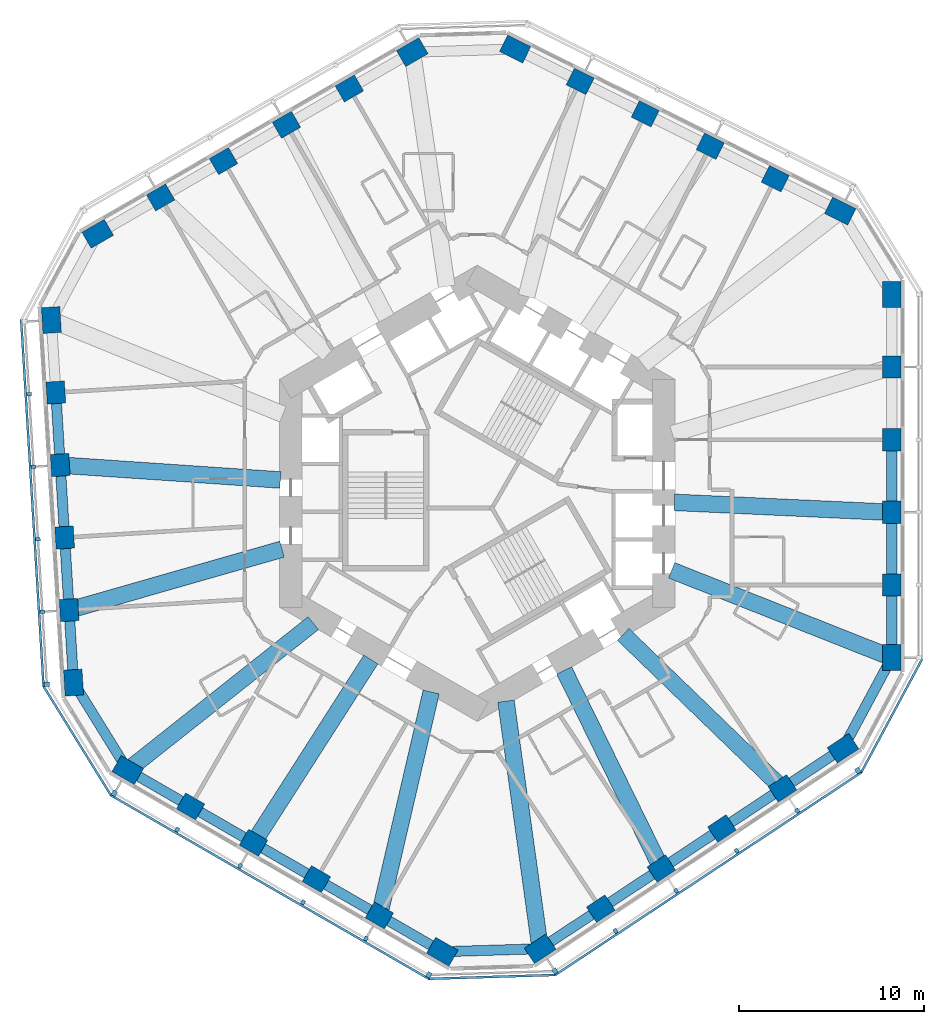
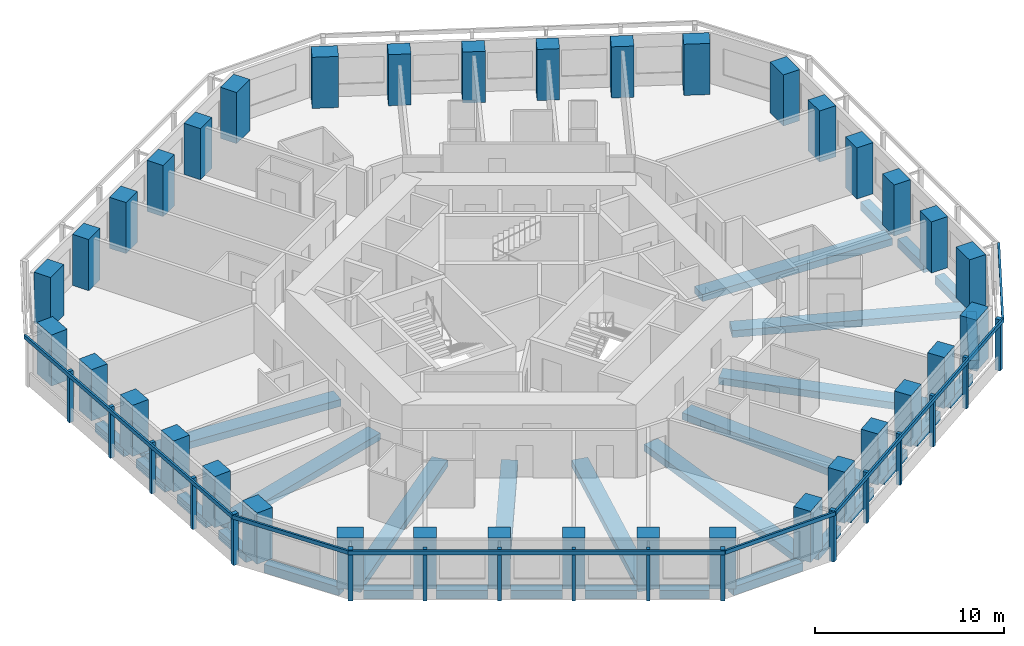
# One storey, part 1 of 12: 36 columns, 30 beams, 23 members, 6 elements without a shape of their own.
"""IFC4 building model written with IfcOpenShell, lengths in metres."""

from ifc_helpers import new_model, si_unit, direction, frame, origin, origin_2d, place, context, subcontext, project, spatial, rectangle, extrude, material, material_profile, profile_set, type_object, element, aggregate, save


model = new_model("IFC4")

# Units and contexts
model_context = context("Model", 3, precision=1e-05, world=origin(), true_north=direction((0.0, 1.0)))
body_context = subcontext(model_context, "Body", "Model", "MODEL_VIEW")
ifc_project = project(units=[si_unit("LENGTHUNIT", "METRE"), si_unit("AREAUNIT", "SQUARE_METRE"), si_unit("VOLUMEUNIT", "CUBIC_METRE"), si_unit("PLANEANGLEUNIT", "RADIAN"), si_unit("MASSUNIT", "GRAM", prefix="KILO")], contexts=[model_context])

# Site, building, storey
site_placement = place(None, origin())
site = spatial("IfcSite", under=ifc_project, at=site_placement, CompositionType="ELEMENT")
building_placement = place(site_placement, origin())
building = spatial("IfcBuilding", under=site, at=building_placement, Name="Vanh Sen Convention Tower", CompositionType="ELEMENT")
storey_placement = place(building_placement, frame((0.0, 0.0, 70.39990234375)))
storey = spatial("IfcBuildingStorey", under=building, at=storey_placement, Name="L15", CompositionType="ELEMENT", Elevation=70.39990234375)

# Columns
ifc_material_1 = material(Name="Concrete C80/95", Category="concrete")
ifc_material_profile_1 = material_profile(ifc_material_1, rectangle(XDim=1.199951171875, YDim=1.0, at=origin_2d()), Name="RC 1200X1000")
ifc_profile_set_1 = profile_set([ifc_material_profile_1], Name="Concrete C80/95")
column_type_1 = type_object("IfcColumnType", Name="Facade column 1200 x 1000 C80/95", PredefinedType="COLUMN", material=ifc_profile_set_1)
for number, where, z_axis, x_axis, name in (
    (1, (22.449951171875, -4.964599609375, 0.0), (0.0, 0.0, 1.0), (0.0, 1.0, 0.0), "Facade column 02 L15"),
    (2, (22.449951171875, -1.030029296875, 0.0), (0.0, 0.0, 1.0), (0.0, 1.0, 0.0), "Facade column 03 L15"),
    (3, (22.449951171875, 2.904541015625, 0.0), (0.0, 0.0, 1.0), (0.0, 1.0, 0.0), "Facade column 04 L15"),
    (4, (22.449951171875, 6.839111328125, 0.0), (0.0, 0.0, 1.0), (0.0, 1.0, 0.0), "Facade column 05 L15"),
    (5, (16.1376953125, 17.039794921875, 0.0), (0.0, 0.0, 1.0), (-0.894934361602, 0.44619781311, 0.0), "Facade column 08 L15"),
    (6, (12.616455078125, 18.79541015625, 0.0), (0.0, 0.0, 1.0), (-0.894934361602, 0.44619781311, 0.0), "Facade column 09 L15"),
    (7, (9.09521484375, 20.55078125, 0.0), (0.0, 0.0, 1.0), (-0.894934361602, 0.44619781311, 0.0), "Facade column 10 L15"),
    (8, (5.57421875, 22.306396484375, 0.0), (0.0, 0.0, 1.0), (-0.894934361602, 0.44619781311, 0.0), "Facade column 11 L15"),
    (9, (-6.925537109375, 21.924560546875, 0.0), (0.0, 0.0, 1.0), (-0.866025403784, -0.5, 0.0), "Facade column 14 L15"),
    (10, (-10.3330078125, 19.957275390625, 0.0), (0.0, 0.0, 1.0), (-0.866025403784, -0.5, 0.0), "Facade column 15 L15"),
    (11, (-13.740478515625, 17.989990234375, 0.0), (0.0, 0.0, 1.0), (-0.866025403784, -0.5, 0.0), "Facade column 16 L15"),
    (12, (-17.14794921875, 16.022705078125, 0.0), (0.0, 0.0, 1.0), (-0.866025403784, -0.5, 0.0), "Facade column 17 L15"),
    (13, (-22.82568359375, 5.455810546875, 0.0), (0.0, 0.0, 1.0), (0.061048539535, -0.998134798422, 0.0), "Facade column 20 L15"),
    (14, (-22.58544921875, 1.528564453125, 0.0), (0.0, 0.0, 1.0), (0.061048539535, -0.998134798422, 0.0), "Facade column 21 L15"),
    (15, (-22.34521484375, -2.398681640625, 0.0), (0.0, 0.0, 1.0), (0.061048539535, -0.998134798422, 0.0), "Facade column 22 L15"),
    (16, (-22.10498046875, -6.325927734375, 0.0), (0.0, 0.0, 1.0), (0.061048539535, -0.998134798422, 0.0), "Facade column 23 L15"),
    (17, (-15.5244140625, -16.9599609375, 0.0), (0.0, 0.0, 1.0), (0.866025403784, -0.5, 0.0), "Facade column 26 L15"),
    (18, (-12.1171875, -18.92724609375, 0.0), (0.0, 0.0, 1.0), (0.866025403784, -0.5, 0.0), "Facade column 27 L15"),
    (19, (-8.709716796875, -20.89453125, 0.0), (0.0, 0.0, 1.0), (0.866025403784, -0.5, 0.0), "Facade column 28 L15"),
    (20, (-5.302001953125, -22.86181640625, 0.0), (0.0, 0.0, 1.0), (0.866025403784, -0.5, 0.0), "Facade column 29 L15"),
    (21, (6.68798828125, -22.49560546875, 0.0), (0.0, 0.0, 1.0), (0.833885822067, 0.551936985312, 0.0), "Facade column 32 L15"),
    (22, (9.968994140625, -20.323974609375, 0.0), (0.0, 0.0, 1.0), (0.833885822067, 0.551936985312, 0.0), "Facade column 33 L15"),
    (23, (13.25, -18.152099609375, 0.0), (0.0, 0.0, 1.0), (0.833885822067, 0.551936985312, 0.0), "Facade column 34 L15"),
    (24, (16.531005859375, -15.980712890625, 0.0), (0.0, 0.0, 1.0), (0.833885822067, 0.551936985312, 0.0), "Facade column 35 L15"),
):
    element("IfcColumn", number, at=place(storey_placement, frame(where, z_axis=z_axis, x_axis=x_axis)), inside=storey, type_object=column_type_1, Name=name, PredefinedType="COLUMN", context=body_context, shape_type="SweptSolid", body=[
        extrude(rectangle(XDim=1.199951171875, YDim=1.0, at=origin_2d()), origin(), (0.0, 0.0, 1.0), 3.300048828125),
    ])
ifc_material_profile_2 = material_profile(ifc_material_1, rectangle(XDim=1.39990234375, YDim=1.0, at=origin_2d()), Name="RC 1400X1000")
ifc_profile_set_2 = profile_set([ifc_material_profile_2], Name="Concrete C80/95")
column_type_2 = type_object("IfcColumnType", Name="Facade corner column 1400 x 1000 C80/95", PredefinedType="COLUMN", material=ifc_profile_set_2)
for number, where, z_axis, x_axis, name in (
    (25, (22.449951171875, -8.899169921875, 0.0), (0.0, 0.0, 1.0), (0.0, 1.0, 0.0), "Facade column 01 L15"),
    (26, (22.449951171875, 10.773681640625, 0.0), (0.0, 0.0, 1.0), (0.0, 1.0, 0.0), "Facade column 06 L15"),
    (27, (19.658935546875, 15.2841796875, 0.0), (0.0, 0.0, 1.0), (-0.894934361602, 0.44619781311, 0.0), "Facade column 07 L15"),
    (28, (2.052978515625, 24.06201171875, 0.0), (0.0, 0.0, 1.0), (-0.894934361602, 0.44619781311, 0.0), "Facade column 12 L15"),
    (29, (-3.51806640625, 23.891845703125, 0.0), (0.0, 0.0, 1.0), (-0.866025403784, -0.5, 0.0), "Facade column 13 L15"),
    (30, (-20.555419921875, 14.055419921875, 0.0), (0.0, 0.0, 1.0), (-0.866025403784, -0.5, 0.0), "Facade column 18 L15"),
    (31, (-23.06591796875, 9.383056640625, 0.0), (0.0, 0.0, 1.0), (0.061048539535, -0.998134798422, 0.0), "Facade column 19 L15"),
    (32, (-21.86474609375, -10.253173828125, 0.0), (0.0, 0.0, 1.0), (0.061048539535, -0.998134798422, 0.0), "Facade column 24 L15"),
    (33, (-18.931884765625, -14.99267578125, 0.0), (0.0, 0.0, 1.0), (0.866025403784, -0.5, 0.0), "Facade column 25 L15"),
    (34, (-1.894775390625, -24.8291015625, 0.0), (0.0, 0.0, 1.0), (0.866025403784, -0.5, 0.0), "Facade column 30 L15"),
    (35, (3.406982421875, -24.6669921875, 0.0), (0.0, 0.0, 1.0), (0.833885822067, 0.551936985312, 0.0), "Facade column 31 L15"),
    (36, (19.81201171875, -13.808837890625, 0.0), (0.0, 0.0, 1.0), (0.833885822067, 0.551936985312, 0.0), "Facade column 36 L15"),
):
    element("IfcColumn", number, at=place(storey_placement, frame(where, z_axis=z_axis, x_axis=x_axis)), inside=storey, type_object=column_type_2, Name=name, PredefinedType="COLUMN", context=body_context, shape_type="SweptSolid", body=[
        extrude(rectangle(XDim=1.39990234375, YDim=1.0, at=origin_2d()), origin(), (0.0, 0.0, 1.0), 3.300048828125),
    ])

# Curtain wall, member
ifc_material_2 = material(Name="Concrete C50/60", Category="concrete")
curtain_wall_type = type_object("IfcCurtainWallType", Name="Outer skin hotel zone", PredefinedType="NOTDEFINED", material=ifc_material_2)
curtain_wall_1_placement = place(storey_placement, origin())
curtain_wall_1 = element("IfcCurtainWall", 37, at=curtain_wall_1_placement, inside=storey, type_object=curtain_wall_type, Name="OUTER SKIN W L15", PredefinedType="NOTDEFINED")
ifc_material_profile_3 = material_profile(ifc_material_2, rectangle(XDim=0.25, YDim=0.300048828125, at=origin_2d()), Name="Outer skin precast corner fin 250 x 300")
ifc_profile_set_3 = profile_set([ifc_material_profile_3], Name="Concrete C50/60")
member_type_1 = type_object("IfcMemberType", Name="Outer skin precast corner fin 250 x 300", PredefinedType="MULLION", material=ifc_profile_set_3)
member_1_placement = place(storey_placement, frame((-23.31201171875, -10.341796875, 0.0), z_axis=(0.0, 0.0, 1.0), x_axis=(0.061048539535, -0.998134798422, 0.0)))
member_1 = element("IfcMember", 38, at=member_1_placement, type_object=member_type_1, Name="OUTER SKIN CORNER FIN 6 W L15", PredefinedType="MULLION", context=body_context, shape_type="SweptSolid", body=[
    extrude(rectangle(XDim=0.25, YDim=0.300048828125, at=origin_2d()), origin(), (0.0, 0.0, 1.0), 3.300048828125),
])

# Curtain wall, members
curtain_wall_2_placement = place(storey_placement, origin())
curtain_wall_2 = element("IfcCurtainWall", 39, at=curtain_wall_2_placement, inside=storey, type_object=curtain_wall_type, Name="OUTER SKIN SW L15", PredefinedType="NOTDEFINED")
member_2_placement = place(storey_placement, frame((-19.656982421875, -16.248291015625, 0.0), z_axis=(0.0, 0.0, 1.0), x_axis=(0.866025403784, -0.5, 0.0)))
member_2 = element("IfcMember", 40, at=member_2_placement, type_object=member_type_1, Name="OUTER SKIN CORNER FIN 1 SW L15", PredefinedType="MULLION", context=body_context, shape_type="SweptSolid", body=[
    extrude(rectangle(XDim=0.25, YDim=0.300048828125, at=origin_2d()), origin(), (0.0, 0.0, 1.0), 3.300048828125),
])
member_3_placement = place(storey_placement, frame((-2.61962890625, -26.084716796875, 0.0), z_axis=(0.0, 0.0, 1.0), x_axis=(0.866025403784, -0.5, 0.0)))
member_3 = element("IfcMember", 41, at=member_3_placement, type_object=member_type_1, Name="OUTER SKIN CORNER FIN 6 SW L15", PredefinedType="MULLION", context=body_context, shape_type="SweptSolid", body=[
    extrude(rectangle(XDim=0.25, YDim=0.300048828125, at=origin_2d()), origin(), (0.0, 0.0, 1.0), 3.300048828125),
])

curtain_wall_3_placement = place(storey_placement, origin())
curtain_wall_3 = element("IfcCurtainWall", 42, at=curtain_wall_3_placement, inside=storey, type_object=curtain_wall_type, Name="OUTER SKIN SE L15", PredefinedType="NOTDEFINED")
member_4_placement = place(storey_placement, frame((4.207275390625, -25.876220703125, 0.0), z_axis=(0.0, 0.0, 1.0), x_axis=(0.833885822067, 0.551936985312, 0.0)))
member_4 = element("IfcMember", 43, at=member_4_placement, type_object=member_type_1, Name="OUTER SKIN CORNER FIN 1 SE L15", PredefinedType="MULLION", context=body_context, shape_type="SweptSolid", body=[
    extrude(rectangle(XDim=0.25, YDim=0.300048828125, at=origin_2d()), origin(), (0.0, 0.0, 1.0), 3.300048828125),
])
member_5_placement = place(storey_placement, frame((20.6123046875, -15.01806640625, 0.0), z_axis=(0.0, 0.0, 1.0), x_axis=(0.833885822067, 0.551936985312, 0.0)))
member_5 = element("IfcMember", 44, at=member_5_placement, type_object=member_type_1, Name="OUTER SKIN CORNER FIN 6 SE L15", PredefinedType="MULLION", context=body_context, shape_type="SweptSolid", body=[
    extrude(rectangle(XDim=0.25, YDim=0.300048828125, at=origin_2d()), origin(), (0.0, 0.0, 1.0), 3.300048828125),
])

# Member
ifc_material_profile_4 = material_profile(ifc_material_2, rectangle(XDim=0.199951171875, YDim=0.25, at=origin_2d()), Name="Outer skin precast fin 200 x 250")
ifc_profile_set_4 = profile_set([ifc_material_profile_4], Name="Concrete C50/60")
member_type_2 = type_object("IfcMemberType", Name="Outer skin precast fin 200 x 250", PredefinedType="MULLION", material=ifc_profile_set_4)
member_6_placement = place(storey_placement, frame((-24.27294921875, 5.3671875, 0.0), z_axis=(0.0, 0.0, 1.0), x_axis=(0.061048539535, -0.998134798422, 0.0)))
member_6 = element("IfcMember", 45, at=member_6_placement, type_object=member_type_2, Name="OUTER SKIN fin 2 W L15", PredefinedType="MULLION", context=body_context, shape_type="SweptSolid", body=[
    extrude(rectangle(XDim=0.199951171875, YDim=0.25, at=origin_2d()), origin(), (0.0, 0.0, 1.0), 3.300048828125),
])

member_7_placement = place(storey_placement, frame((-24.03271484375, 1.440185546875, 0.0), z_axis=(0.0, 0.0, 1.0), x_axis=(0.061048539535, -0.998134798422, 0.0)))
member_7 = element("IfcMember", 46, at=member_7_placement, type_object=member_type_2, Name="OUTER SKIN fin 3 W L15", PredefinedType="MULLION", context=body_context, shape_type="SweptSolid", body=[
    extrude(rectangle(XDim=0.199951171875, YDim=0.25, at=origin_2d()), origin(), (0.0, 0.0, 1.0), 3.300048828125),
])

member_8_placement = place(storey_placement, frame((-23.79248046875, -2.4873046875, 0.0), z_axis=(0.0, 0.0, 1.0), x_axis=(0.061048539535, -0.998134798422, 0.0)))
member_8 = element("IfcMember", 47, at=member_8_placement, type_object=member_type_2, Name="OUTER SKIN fin 4 W L15", PredefinedType="MULLION", context=body_context, shape_type="SweptSolid", body=[
    extrude(rectangle(XDim=0.199951171875, YDim=0.25, at=origin_2d()), origin(), (0.0, 0.0, 1.0), 3.300048828125),
])

member_9_placement = place(storey_placement, frame((-23.55224609375, -6.414306640625, 0.0), z_axis=(0.0, 0.0, 1.0), x_axis=(0.061048539535, -0.998134798422, 0.0)))
member_9 = element("IfcMember", 48, at=member_9_placement, type_object=member_type_2, Name="OUTER SKIN fin 5 W L15", PredefinedType="MULLION", context=body_context, shape_type="SweptSolid", body=[
    extrude(rectangle(XDim=0.199951171875, YDim=0.25, at=origin_2d()), origin(), (0.0, 0.0, 1.0), 3.300048828125),
])

member_10_placement = place(storey_placement, frame((-16.24951171875, -18.2158203125, 0.0), z_axis=(0.0, 0.0, 1.0), x_axis=(0.866025403784, -0.5, 0.0)))
member_10 = element("IfcMember", 49, at=member_10_placement, type_object=member_type_2, Name="OUTER SKIN fin 2 SW L15", PredefinedType="MULLION", context=body_context, shape_type="SweptSolid", body=[
    extrude(rectangle(XDim=0.199951171875, YDim=0.25, at=origin_2d()), origin(), (0.0, 0.0, 1.0), 3.300048828125),
])

member_11_placement = place(storey_placement, frame((-12.842041015625, -20.182861328125, 0.0), z_axis=(0.0, 0.0, 1.0), x_axis=(0.866025403784, -0.5, 0.0)))
member_11 = element("IfcMember", 50, at=member_11_placement, type_object=member_type_2, Name="OUTER SKIN fin 3 SW L15", PredefinedType="MULLION", context=body_context, shape_type="SweptSolid", body=[
    extrude(rectangle(XDim=0.199951171875, YDim=0.25, at=origin_2d()), origin(), (0.0, 0.0, 1.0), 3.300048828125),
])

member_12_placement = place(storey_placement, frame((-9.4345703125, -22.150146484375, 0.0), z_axis=(0.0, 0.0, 1.0), x_axis=(0.866025403784, -0.5, 0.0)))
member_12 = element("IfcMember", 51, at=member_12_placement, type_object=member_type_2, Name="OUTER SKIN fin 4 SW L15", PredefinedType="MULLION", context=body_context, shape_type="SweptSolid", body=[
    extrude(rectangle(XDim=0.199951171875, YDim=0.25, at=origin_2d()), origin(), (0.0, 0.0, 1.0), 3.300048828125),
])

member_13_placement = place(storey_placement, frame((-6.027099609375, -24.117431640625, 0.0), z_axis=(0.0, 0.0, 1.0), x_axis=(0.866025403784, -0.5, 0.0)))
member_13 = element("IfcMember", 52, at=member_13_placement, type_object=member_type_2, Name="OUTER SKIN fin 5 SW L15", PredefinedType="MULLION", context=body_context, shape_type="SweptSolid", body=[
    extrude(rectangle(XDim=0.199951171875, YDim=0.25, at=origin_2d()), origin(), (0.0, 0.0, 1.0), 3.300048828125),
])

member_14_placement = place(storey_placement, frame((7.48828125, -23.70458984375, 0.0), z_axis=(0.0, 0.0, 1.0), x_axis=(0.833885822067, 0.551936985312, 0.0)))
member_14 = element("IfcMember", 53, at=member_14_placement, type_object=member_type_2, Name="OUTER SKIN fin 2 SE L15", PredefinedType="MULLION", context=body_context, shape_type="SweptSolid", body=[
    extrude(rectangle(XDim=0.199951171875, YDim=0.25, at=origin_2d()), origin(), (0.0, 0.0, 1.0), 3.300048828125),
])

member_15_placement = place(storey_placement, frame((10.769287109375, -21.532958984375, 0.0), z_axis=(0.0, 0.0, 1.0), x_axis=(0.833885822067, 0.551936985312, 0.0)))
member_15 = element("IfcMember", 54, at=member_15_placement, type_object=member_type_2, Name="OUTER SKIN fin 3 SE L15", PredefinedType="MULLION", context=body_context, shape_type="SweptSolid", body=[
    extrude(rectangle(XDim=0.199951171875, YDim=0.25, at=origin_2d()), origin(), (0.0, 0.0, 1.0), 3.300048828125),
])

member_16_placement = place(storey_placement, frame((14.05029296875, -19.361328125, 0.0), z_axis=(0.0, 0.0, 1.0), x_axis=(0.833885822067, 0.551936985312, 0.0)))
member_16 = element("IfcMember", 55, at=member_16_placement, type_object=member_type_2, Name="OUTER SKIN fin 4 SE L15", PredefinedType="MULLION", context=body_context, shape_type="SweptSolid", body=[
    extrude(rectangle(XDim=0.199951171875, YDim=0.25, at=origin_2d()), origin(), (0.0, 0.0, 1.0), 3.300048828125),
])

member_17_placement = place(storey_placement, frame((17.331298828125, -17.189697265625, 0.0), z_axis=(0.0, 0.0, 1.0), x_axis=(0.833885822067, 0.551936985312, 0.0)))
member_17 = element("IfcMember", 56, at=member_17_placement, type_object=member_type_2, Name="OUTER SKIN fin 5 SE L15", PredefinedType="MULLION", context=body_context, shape_type="SweptSolid", body=[
    extrude(rectangle(XDim=0.199951171875, YDim=0.25, at=origin_2d()), origin(), (0.0, 0.0, 1.0), 3.300048828125),
])

ifc_material_profile_5 = material_profile(ifc_material_2, rectangle(XDim=0.1201171875, YDim=0.25, at=origin_2d()), Name="Outer skin precast spandrel band 250 x 120")
ifc_profile_set_5 = profile_set([ifc_material_profile_5], Name="Concrete C50/60")
member_type_3 = type_object("IfcMemberType", Name="Outer skin precast spandrel band 250 x 120", PredefinedType="USERDEFINED", material=ifc_profile_set_5)
member_18_placement = place(storey_placement, frame((-24.705322265625, 9.408203125, 3.175048828125), z_axis=(0.061050017989, -0.998134707995, 0.0), x_axis=(0.998134707995, 0.061050017989, 0.0)))
member_18 = element("IfcMember", 57, at=member_18_placement, type_object=member_type_3, Name="OUTER SKIN spandrel band W L15", ObjectType="TRANSOM", PredefinedType="USERDEFINED", context=body_context, shape_type="SweptSolid", body=[
    extrude(rectangle(XDim=0.1201171875, YDim=0.25, at=origin_2d()), origin(), (0.0, 0.0, 1.0), 19.923095703125),
])

aggregate(curtain_wall_1, [member_6, member_7, member_8, member_9, member_1, member_18])

# Curtain wall, member
curtain_wall_4_placement = place(storey_placement, origin())
curtain_wall_4 = element("IfcCurtainWall", 58, at=curtain_wall_4_placement, inside=storey, type_object=curtain_wall_type, Name="OUTER SKIN CH4 L15", PredefinedType="NOTDEFINED")
member_19_placement = place(storey_placement, frame((-23.49072265625, -10.4521484375, 3.175048828125), z_axis=(0.526196095141, -0.850363257354, 0.0), x_axis=(0.850363257354, 0.526196095141, 0.0)))
member_19 = element("IfcMember", 59, at=member_19_placement, type_object=member_type_3, Name="OUTER SKIN spandrel band CH4 L15", ObjectType="TRANSOM", PredefinedType="USERDEFINED", context=body_context, shape_type="SweptSolid", body=[
    extrude(rectangle(XDim=0.1201171875, YDim=0.25, at=origin_2d()), origin(), (0.0, 0.0, 1.0), 6.946044921875),
])
aggregate(curtain_wall_4, [member_19])

# Member
member_20_placement = place(storey_placement, frame((-19.85791015625, -16.34619140625, 3.175048828125), z_axis=(0.866028047459, -0.499995420993, 0.0), x_axis=(0.499995420993, 0.866028047459, 0.0)))
member_20 = element("IfcMember", 60, at=member_20_placement, type_object=member_type_3, Name="OUTER SKIN spandrel band SW L15", ObjectType="TRANSOM", PredefinedType="USERDEFINED", context=body_context, shape_type="SweptSolid", body=[
    extrude(rectangle(XDim=0.1201171875, YDim=0.25, at=origin_2d()), origin(), (0.0, 0.0, 1.0), 19.923095703125),
])

aggregate(curtain_wall_2, [member_2, member_10, member_11, member_12, member_13, member_3, member_20])

# Curtain wall, member
curtain_wall_5_placement = place(storey_placement, origin())
curtain_wall_5 = element("IfcCurtainWall", 61, at=curtain_wall_5_placement, inside=storey, type_object=curtain_wall_type, Name="OUTER SKIN CH5 L15", PredefinedType="NOTDEFINED")
member_21_placement = place(storey_placement, frame((-2.61328125, -26.294677734375, 3.175048828125), z_axis=(0.99953396928, 0.030526124156, 0.0), x_axis=(-0.030526124156, 0.99953396928, 0.0)))
member_21 = element("IfcMember", 62, at=member_21_placement, type_object=member_type_3, Name="OUTER SKIN spandrel band CH5 L15", ObjectType="TRANSOM", PredefinedType="USERDEFINED", context=body_context, shape_type="SweptSolid", body=[
    extrude(rectangle(XDim=0.1201171875, YDim=0.25, at=origin_2d()), origin(), (0.0, 0.0, 1.0), 6.830078125),
])
aggregate(curtain_wall_5, [member_21])

# Member
member_22_placement = place(storey_placement, frame((4.205078125, -26.099609375, 3.175048828125), z_axis=(0.833883851182, 0.551939962984, 0.0), x_axis=(-0.551939962984, 0.833883851182, 0.0)))
member_22 = element("IfcMember", 63, at=member_22_placement, type_object=member_type_3, Name="OUTER SKIN spandrel band SE L15", ObjectType="TRANSOM", PredefinedType="USERDEFINED", context=body_context, shape_type="SweptSolid", body=[
    extrude(rectangle(XDim=0.1201171875, YDim=0.25, at=origin_2d()), origin(), (0.0, 0.0, 1.0), 19.923095703125),
])

aggregate(curtain_wall_3, [member_4, member_14, member_15, member_16, member_17, member_5, member_22])

# Curtain wall, member
curtain_wall_6_placement = place(storey_placement, origin())
curtain_wall_6 = element("IfcCurtainWall", 64, at=curtain_wall_6_placement, inside=storey, type_object=curtain_wall_type, Name="OUTER SKIN CH6 L15", PredefinedType="NOTDEFINED")
member_23_placement = place(storey_placement, frame((20.797119140625, -15.117431640625, 3.175048828125), z_axis=(0.473324148816, 0.880888330123, 0.0), x_axis=(-0.880888330123, 0.473324148816, 0.0)))
member_23 = element("IfcMember", 65, at=member_23_placement, type_object=member_type_3, Name="OUTER SKIN spandrel band CH6 L15", ObjectType="TRANSOM", PredefinedType="USERDEFINED", context=body_context, shape_type="SweptSolid", body=[
    extrude(rectangle(XDim=0.1201171875, YDim=0.25, at=origin_2d()), origin(), (0.0, 0.0, 1.0), 6.9462890625),
])
aggregate(curtain_wall_6, [member_23])

# Beams
ifc_material_3 = material(Name="Concrete C50/60", Category="concrete")
ifc_material_profile_6 = material_profile(ifc_material_3, rectangle(XDim=0.89990234375, YDim=0.449951171875, at=origin_2d()), Name="RC 900X450")
ifc_profile_set_6 = profile_set([ifc_material_profile_6], Name="Concrete C50/60")
beam_type_1 = type_object("IfcBeamType", Name="Radial floor beam 900 x 450", PredefinedType="BEAM", material=ifc_profile_set_6)
beam_1_placement = place(storey_placement, frame((22.12060546875, -8.7685546875, -0.474853515625), z_axis=(-0.929625441153, 0.368505819713, 0.0), x_axis=(-0.368505819713, -0.929625441153, 0.0)))
element("IfcBeam", 66, at=beam_1_placement, inside=storey, type_object=beam_type_1, Name="Radial beam 01 L15", PredefinedType="BEAM", context=body_context, shape_type="SweptSolid", body=[
    extrude(rectangle(XDim=0.89990234375, YDim=0.449951171875, at=origin_2d()), origin(), (0.0, 0.0, 1.0), 12.468505859375),
])
beam_2_placement = place(storey_placement, frame((21.9755859375, -1.00830078125, -0.474853515625), z_axis=(-0.998948959247, 0.045836413684, 0.0), x_axis=(-0.045836413684, -0.998948959247, 0.0)))
element("IfcBeam", 67, at=beam_2_placement, inside=storey, type_object=beam_type_1, Name="Radial beam 02 L15", PredefinedType="BEAM", context=body_context, shape_type="SweptSolid", body=[
    extrude(rectangle(XDim=0.89990234375, YDim=0.449951171875, at=origin_2d()), origin(), (0.0, 0.0, 1.0), 11.313232421875),
])
beam_3_placement = place(storey_placement, frame((-22.1455078125, 1.498779296875, -0.474853515625), z_axis=(0.997717146338, -0.067531443814, 0.0), x_axis=(0.067531443814, 0.997717146338, 0.0)))
element("IfcBeam", 68, at=beam_3_placement, inside=storey, type_object=beam_type_1, Name="Radial beam 11 L15", PredefinedType="BEAM", context=body_context, shape_type="SweptSolid", body=[
    extrude(rectangle(XDim=0.89990234375, YDim=0.449951171875, at=origin_2d()), origin(), (0.0, 0.0, 1.0), 11.50732421875),
])
beam_4_placement = place(storey_placement, frame((-21.713134765625, -6.2138671875, -0.474853515625), z_axis=(0.96140779783, 0.27512732738, 0.0), x_axis=(-0.27512732738, 0.96140779783, 0.0)))
element("IfcBeam", 69, at=beam_4_placement, inside=storey, type_object=beam_type_1, Name="Radial beam 12 L15", PredefinedType="BEAM", context=body_context, shape_type="SweptSolid", body=[
    extrude(rectangle(XDim=0.89990234375, YDim=0.449951171875, at=origin_2d()), origin(), (0.0, 0.0, 1.0), 11.589111328125),
])
beam_5_placement = place(storey_placement, frame((-18.654052734375, -14.772705078125, -0.474853515625), z_axis=(0.783950127039, 0.620823806177, 0.0), x_axis=(-0.620823806177, 0.783950127039, 0.0)))
element("IfcBeam", 70, at=beam_5_placement, inside=storey, type_object=beam_type_1, Name="Radial beam 13 L15", PredefinedType="BEAM", context=body_context, shape_type="SweptSolid", body=[
    extrude(rectangle(XDim=0.89990234375, YDim=0.449951171875, at=origin_2d()), origin(), (0.0, 0.0, 1.0), 12.468505859375),
])
beam_6_placement = place(storey_placement, frame((-11.861083984375, -18.52734375, -0.474853515625), z_axis=(0.539166370538, 0.842199278604, 0.0), x_axis=(-0.842199278604, 0.539166370538, 0.0)))
element("IfcBeam", 71, at=beam_6_placement, inside=storey, type_object=beam_type_1, Name="Radial beam 14 L15", PredefinedType="BEAM", context=body_context, shape_type="SweptSolid", body=[
    extrude(rectangle(XDim=0.89990234375, YDim=0.449951171875, at=origin_2d()), origin(), (0.0, 0.0, 1.0), 11.31298828125),
])
beam_7_placement = place(storey_placement, frame((-5.216064453125, -22.4912109375, -0.474853515625), z_axis=(0.225903026676, 0.974149794713, 0.0), x_axis=(-0.974149794713, 0.225903026676, 0.0)))
element("IfcBeam", 72, at=beam_7_placement, inside=storey, type_object=beam_type_1, Name="Radial beam 15 L15", PredefinedType="BEAM", context=body_context, shape_type="SweptSolid", body=[
    extrude(rectangle(XDim=0.89990234375, YDim=0.449951171875, at=origin_2d()), origin(), (0.0, 0.0, 1.0), 12.044677734375),
])
beam_8_placement = place(storey_placement, frame((3.361328125, -24.336669921875, -0.474853515625), z_axis=(-0.13682259219, 0.990595567457, 0.0), x_axis=(-0.990595567457, -0.13682259219, 0.0)))
element("IfcBeam", 73, at=beam_8_placement, inside=storey, type_object=beam_type_1, Name="Radial beam 16 L15", PredefinedType="BEAM", context=body_context, shape_type="SweptSolid", body=[
    extrude(rectangle(XDim=0.89990234375, YDim=0.449951171875, at=origin_2d()), origin(), (0.0, 0.0, 1.0), 13.204345703125),
])
beam_9_placement = place(storey_placement, frame((9.774658203125, -19.927978515625, -0.474853515625), z_axis=(-0.440368849839, 0.897816950214, 0.0), x_axis=(-0.897816950214, -0.440368849839, 0.0)))
element("IfcBeam", 74, at=beam_9_placement, inside=storey, type_object=beam_type_1, Name="Radial beam 17 L15", PredefinedType="BEAM", context=body_context, shape_type="SweptSolid", body=[
    extrude(rectangle(XDim=0.89990234375, YDim=0.449951171875, at=origin_2d()), origin(), (0.0, 0.0, 1.0), 11.507080078125),
])
beam_10_placement = place(storey_placement, frame((16.23779296875, -15.697265625, -0.474853515625), z_axis=(-0.71897118158, 0.69503988379, 0.0), x_axis=(-0.69503988379, -0.71897118158, 0.0)))
element("IfcBeam", 75, at=beam_10_placement, inside=storey, type_object=beam_type_1, Name="Radial beam 18 L15", PredefinedType="BEAM", context=body_context, shape_type="SweptSolid", body=[
    extrude(rectangle(XDim=0.89990234375, YDim=0.449951171875, at=origin_2d()), origin(), (0.0, 0.0, 1.0), 11.589111328125),
])
ifc_material_profile_7 = material_profile(ifc_material_3, rectangle(XDim=0.550048828125, YDim=0.550048828125, at=origin_2d()), Name="RC 550X550")
ifc_profile_set_7 = profile_set([ifc_material_profile_7], Name="Concrete C50/60")
beam_type_2 = type_object("IfcBeamType", Name="Spandrel beam 550 x 550", PredefinedType="SPANDREL", material=ifc_profile_set_7)
beam_11_placement = place(storey_placement, frame((22.449951171875, -8.2041015625, -0.52490234375), z_axis=(0.0, 1.0, 0.0), x_axis=(-1.0, 0.0, 0.0)))
element("IfcBeam", 76, at=beam_11_placement, inside=storey, type_object=beam_type_2, Name="Spandrel beam 01 L15", PredefinedType="SPANDREL", context=body_context, shape_type="SweptSolid", body=[
    extrude(rectangle(XDim=0.550048828125, YDim=0.550048828125, at=origin_2d()), origin(), (0.0, 0.0, 1.0), 2.64453125),
])
for number, where, z_axis, x_axis, name in (
    (77, (22.449951171875, -4.36962890625, -0.52490234375), (0.0, 1.0, 0.0), (-1.0, 0.0, 0.0), "Spandrel beam 02 L15"),
    (78, (22.449951171875, -0.43505859375, -0.52490234375), (0.0, 1.0, 0.0), (-1.0, 0.0, 0.0), "Spandrel beam 03 L15"),
):
    element("IfcBeam", number, at=place(storey_placement, frame(where, z_axis=z_axis, x_axis=x_axis)), inside=storey, type_object=beam_type_2, Name=name, PredefinedType="SPANDREL", context=body_context, shape_type="SweptSolid", body=[
        extrude(rectangle(XDim=0.550048828125, YDim=0.550048828125, at=origin_2d()), origin(), (0.0, 0.0, 1.0), 2.74462890625),
    ])
beam_12_placement = place(storey_placement, frame((-22.789306640625, 4.86181640625, -0.52490234375), z_axis=(0.061115489467, -0.998130701335, 0.0), x_axis=(0.998130701335, 0.061115489467, 0.0)))
element("IfcBeam", 79, at=beam_12_placement, inside=storey, type_object=beam_type_2, Name="Spandrel beam 20 L15", PredefinedType="SPANDREL", context=body_context, shape_type="SweptSolid", body=[
    extrude(rectangle(XDim=0.550048828125, YDim=0.550048828125, at=origin_2d()), origin(), (0.0, 0.0, 1.0), 2.744384765625),
])
beam_13_placement = place(storey_placement, frame((-22.549072265625, 0.934814453125, -0.52490234375), z_axis=(0.061021442686, -0.998136455367, 0.0), x_axis=(0.998136455367, 0.061021442686, 0.0)))
element("IfcBeam", 80, at=beam_13_placement, inside=storey, type_object=beam_type_2, Name="Spandrel beam 21 L15", PredefinedType="SPANDREL", context=body_context, shape_type="SweptSolid", body=[
    extrude(rectangle(XDim=0.550048828125, YDim=0.550048828125, at=origin_2d()), origin(), (0.0, 0.0, 1.0), 2.74462890625),
])
beam_14_placement = place(storey_placement, frame((-22.308837890625, -2.99267578125, -0.52490234375), z_axis=(0.061026861063, -0.998136124098, 0.0), x_axis=(0.998136124098, 0.061026861063, 0.0)))
element("IfcBeam", 81, at=beam_14_placement, inside=storey, type_object=beam_type_2, Name="Spandrel beam 22 L15", PredefinedType="SPANDREL", context=body_context, shape_type="SweptSolid", body=[
    extrude(rectangle(XDim=0.550048828125, YDim=0.550048828125, at=origin_2d()), origin(), (0.0, 0.0, 1.0), 2.744384765625),
])
beam_15_placement = place(storey_placement, frame((-22.068603515625, -6.919921875, -0.52490234375), z_axis=(0.061021844318, -0.998136430813, 0.0), x_axis=(0.998136430813, 0.061021844318, 0.0)))
element("IfcBeam", 82, at=beam_15_placement, inside=storey, type_object=beam_type_2, Name="Spandrel beam 23 L15", PredefinedType="SPANDREL", context=body_context, shape_type="SweptSolid", body=[
    extrude(rectangle(XDim=0.550048828125, YDim=0.550048828125, at=origin_2d()), origin(), (0.0, 0.0, 1.0), 2.64453125),
])
beam_16_placement = place(storey_placement, frame((-21.580810546875, -10.7119140625, -0.52490234375), z_axis=(0.526190044311, -0.850367001516, 0.0), x_axis=(0.850367001516, 0.526190044311, 0.0)))
element("IfcBeam", 83, at=beam_16_placement, inside=storey, type_object=beam_type_2, Name="Spandrel beam 24 L15", PredefinedType="SPANDREL", context=body_context, shape_type="SweptSolid", body=[
    extrude(rectangle(XDim=0.550048828125, YDim=0.550048828125, at=origin_2d()), origin(), (0.0, 0.0, 1.0), 4.49462890625),
])
beam_17_placement = place(storey_placement, frame((-18.330078125, -15.340087890625, -0.52490234375), z_axis=(0.865990340526, -0.500060726429, 0.0), x_axis=(0.500060726429, 0.865990340526, 0.0)))
element("IfcBeam", 84, at=beam_17_placement, inside=storey, type_object=beam_type_2, Name="Spandrel beam 25 L15", PredefinedType="SPANDREL", context=body_context, shape_type="SweptSolid", body=[
    extrude(rectangle(XDim=0.550048828125, YDim=0.550048828125, at=origin_2d()), origin(), (0.0, 0.0, 1.0), 2.644775390625),
])
for number, where, z_axis, x_axis, name in (
    (85, (-15.00927734375, -17.257568359375, -0.52490234375), (0.866067086513, -0.499927796446, 0.0), (0.499927796446, 0.866067086513, 0.0), "Spandrel beam 26 L15"),
    (86, (-11.601806640625, -19.224609375, -0.52490234375), (0.866028570666, -0.499994514761, 0.0), (0.499994514761, 0.866028570666, 0.0), "Spandrel beam 27 L15"),
    (87, (-8.1943359375, -21.19189453125, -0.52490234375), (0.866028570666, -0.499994514761, 0.0), (0.499994514761, 0.866028570666, 0.0), "Spandrel beam 28 L15"),
):
    element("IfcBeam", number, at=place(storey_placement, frame(where, z_axis=z_axis, x_axis=x_axis)), inside=storey, type_object=beam_type_2, Name=name, PredefinedType="SPANDREL", context=body_context, shape_type="SweptSolid", body=[
        extrude(rectangle(XDim=0.550048828125, YDim=0.550048828125, at=origin_2d()), origin(), (0.0, 0.0, 1.0), 2.74462890625),
    ])
beam_18_placement = place(storey_placement, frame((-4.786865234375, -23.1591796875, -0.52490234375), z_axis=(0.865990340526, -0.500060726429, 0.0), x_axis=(0.500060726429, 0.865990340526, 0.0)))
element("IfcBeam", 88, at=beam_18_placement, inside=storey, type_object=beam_type_2, Name="Spandrel beam 29 L15", PredefinedType="SPANDREL", context=body_context, shape_type="SweptSolid", body=[
    extrude(rectangle(XDim=0.550048828125, YDim=0.550048828125, at=origin_2d()), origin(), (0.0, 0.0, 1.0), 2.644775390625),
])
beam_19_placement = place(storey_placement, frame((-1.394287109375, -24.813720703125, -0.52490234375), z_axis=(0.999533914545, 0.030527916323, 0.0), x_axis=(-0.030527916323, 0.999533914545, 0.0)))
element("IfcBeam", 89, at=beam_19_placement, inside=storey, type_object=beam_type_2, Name="Spandrel beam 30 L15", PredefinedType="SPANDREL", context=body_context, shape_type="SweptSolid", body=[
    extrude(rectangle(XDim=0.550048828125, YDim=0.550048828125, at=origin_2d()), origin(), (0.0, 0.0, 1.0), 4.302490234375),
])
beam_20_placement = place(storey_placement, frame((3.986572265625, -24.283447265625, -0.52490234375), z_axis=(0.833892212548, 0.551927330227, 0.0), x_axis=(-0.551927330227, 0.833892212548, 0.0)))
element("IfcBeam", 90, at=beam_20_placement, inside=storey, type_object=beam_type_2, Name="Spandrel beam 31 L15", PredefinedType="SPANDREL", context=body_context, shape_type="SweptSolid", body=[
    extrude(rectangle(XDim=0.550048828125, YDim=0.550048828125, at=origin_2d()), origin(), (0.0, 0.0, 1.0), 2.644287109375),
])
beam_21_placement = place(storey_placement, frame((7.18408203125, -22.1669921875, -0.52490234375), z_axis=(0.833906917805, 0.551905111805, 0.0), x_axis=(-0.551905111805, 0.833906917805, 0.0)))
element("IfcBeam", 91, at=beam_21_placement, inside=storey, type_object=beam_type_2, Name="Spandrel beam 32 L15", PredefinedType="SPANDREL", context=body_context, shape_type="SweptSolid", body=[
    extrude(rectangle(XDim=0.550048828125, YDim=0.550048828125, at=origin_2d()), origin(), (0.0, 0.0, 1.0), 2.744384765625),
])
beam_22_placement = place(storey_placement, frame((10.465087890625, -19.99560546875, -0.52490234375), z_axis=(0.833865974996, 0.551966969794, 0.0), x_axis=(-0.551966969794, 0.833865974996, 0.0)))
element("IfcBeam", 92, at=beam_22_placement, inside=storey, type_object=beam_type_2, Name="Spandrel beam 33 L15", PredefinedType="SPANDREL", context=body_context, shape_type="SweptSolid", body=[
    extrude(rectangle(XDim=0.550048828125, YDim=0.550048828125, at=origin_2d()), origin(), (0.0, 0.0, 1.0), 2.74462890625),
])
beam_23_placement = place(storey_placement, frame((13.74609375, -17.82373046875, -0.52490234375), z_axis=(0.833906917805, 0.551905111805, 0.0), x_axis=(-0.551905111805, 0.833906917805, 0.0)))
element("IfcBeam", 93, at=beam_23_placement, inside=storey, type_object=beam_type_2, Name="Spandrel beam 34 L15", PredefinedType="SPANDREL", context=body_context, shape_type="SweptSolid", body=[
    extrude(rectangle(XDim=0.550048828125, YDim=0.550048828125, at=origin_2d()), origin(), (0.0, 0.0, 1.0), 2.744384765625),
])
beam_24_placement = place(storey_placement, frame((17.027099609375, -15.652099609375, -0.52490234375), z_axis=(0.833877845886, 0.551949035819, 0.0), x_axis=(-0.551949035819, 0.833877845886, 0.0)))
element("IfcBeam", 94, at=beam_24_placement, inside=storey, type_object=beam_type_2, Name="Spandrel beam 35 L15", PredefinedType="SPANDREL", context=body_context, shape_type="SweptSolid", body=[
    extrude(rectangle(XDim=0.550048828125, YDim=0.550048828125, at=origin_2d()), origin(), (0.0, 0.0, 1.0), 2.644775390625),
])
beam_25_placement = place(storey_placement, frame((20.0673828125, -13.33349609375, -0.52490234375), z_axis=(0.473312454828, 0.880894613507, 0.0), x_axis=(-0.880894613507, 0.473312454828, 0.0)))
element("IfcBeam", 95, at=beam_25_placement, inside=storey, type_object=beam_type_2, Name="Spandrel beam 36 L15", PredefinedType="SPANDREL", context=body_context, shape_type="SweptSolid", body=[
    extrude(rectangle(XDim=0.550048828125, YDim=0.550048828125, at=origin_2d()), origin(), (0.0, 0.0, 1.0), 4.494384765625),
])

save(model, "model.ifc")
